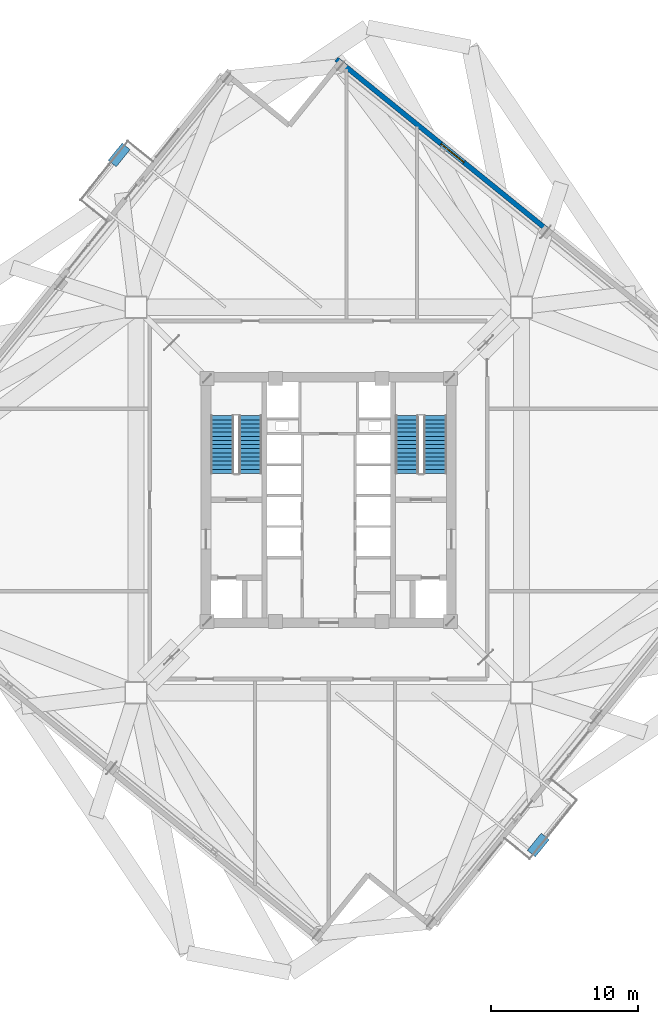
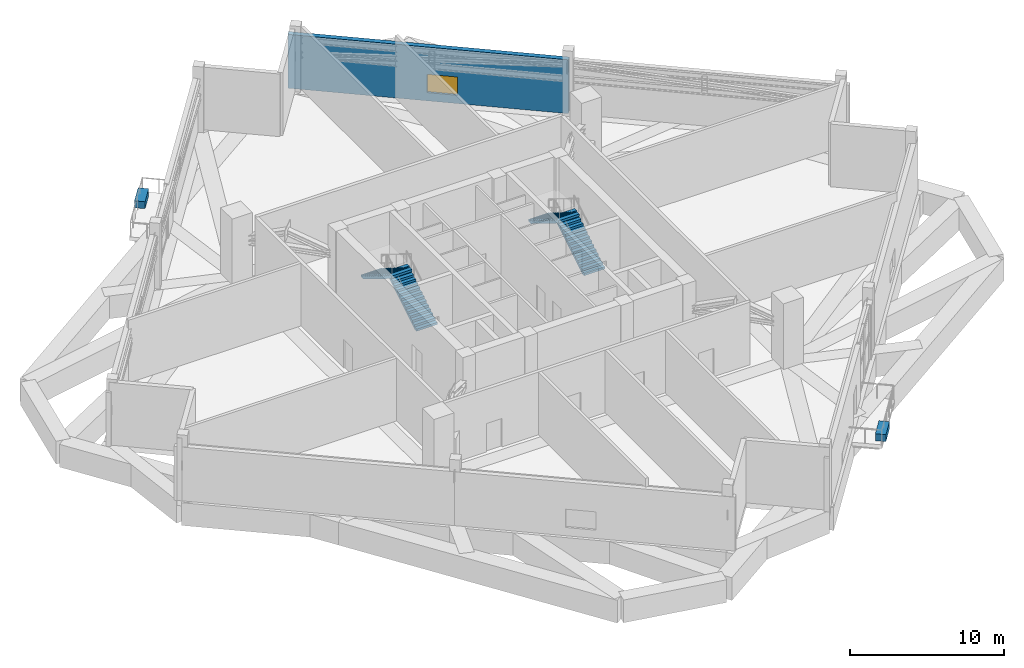
# One storey, part 19 of 22: 4 stair flights, 2 discrete accessories, 1 wall, 1 window, 1 opening, 2 elements without a shape of their own.
"""IFC4 building model written with IfcOpenShell, lengths in metres."""

from ifc_helpers import new_model, si_unit, direction, frame, frame_2d, origin, origin_2d, place, context, subcontext, project, spatial, polyline, rectangle, outline, extrude, source, transform, mapped, material, layer, layer_set, type_object, element, fill, aggregate, save


model = new_model("IFC4")

# Units and contexts
model_context = context("Model", 3, precision=1e-05, world=origin(), true_north=direction((0.0, 1.0)))
body_context = subcontext(model_context, "Body", "Model", "MODEL_VIEW")
ifc_project = project(units=[si_unit("LENGTHUNIT", "METRE"), si_unit("AREAUNIT", "SQUARE_METRE"), si_unit("VOLUMEUNIT", "CUBIC_METRE"), si_unit("PLANEANGLEUNIT", "RADIAN"), si_unit("MASSUNIT", "GRAM", prefix="KILO"), si_unit("THERMODYNAMICTEMPERATUREUNIT", "KELVIN")], contexts=[model_context])

# Site, building, storey
site_placement = place(None, origin())
site = spatial("IfcSite", under=ifc_project, at=site_placement, CompositionType="ELEMENT")
building_placement = place(site_placement, origin())
building = spatial("IfcBuilding", under=site, at=building_placement, Name="Kosmvard Interchange Tower", CompositionType="ELEMENT")
storey_placement = place(building_placement, frame((0.0, 0.0, 200.39990234375)))
storey = spatial("IfcBuildingStorey", under=building, at=storey_placement, Name="L48", CompositionType="ELEMENT", Elevation=200.39990234375)

# Wall, opening, window
ifc_material_1 = material(Name="Precast concrete C45/55", Category="concrete")
ifc_layer = layer(ifc_material_1, 0.340087890625, Name="Precast concrete C45/55")
ifc_layer_set = layer_set([ifc_layer], Name="Precast concrete C45/55")
wall_type = type_object("IfcWallType", Name="Mid Tower Precast Pier Wall 340 C45/55", PredefinedType="STANDARD", material=ifc_layer_set)
wall_placement = place(storey_placement, frame((14.83935546875, 18.3251953125, 0.0), z_axis=(0.0, 0.0, 1.0), x_axis=(-0.777145164153, 0.629321375637, 0.0)))
wall = element("IfcWall", 1, at=wall_placement, inside=storey, type_object=wall_type, Name="L48 Facade Pier Wall EB", PredefinedType="STANDARD", context=body_context, shape_type="SweptSolid", body=[
    extrude(rectangle(XDim=18.419921875, YDim=0.340087890625, at=frame_2d((9.2099609375, 0.0))), origin(), (0.0, 0.0, 1.0), 4.260009765625),
])
opening_placement = place(wall_placement, frame((7.2890625, 0.0, 0.64990234375)))
opening = element("IfcOpeningElement", 2, at=opening_placement, cuts=wall, Name="Opening L48-WEB", PredefinedType="OPENING", context=body_context, shape_type="SweptSolid", body=[
    extrude(rectangle(XDim=2.0, YDim=1.449951171875, at=frame_2d((1.0, 0.72509765625))), frame((0.0, 0.18017578125, 0.0), z_axis=(0.0, -1.0, 0.0), x_axis=(1.0, 0.0, 0.0)), (0.0, 0.0, 1.0), 0.360107421875),
])
ifc_material_2 = material(Name="Low-E solar-control double glazing", Category="glass")
window_type = type_object("IfcWindowType", Name="Transfer Zone Punched Window 2000x1450", PartitioningType="SINGLE_PANEL", PredefinedType="WINDOW", material=ifc_material_2)
shared_shape_1 = source(origin(), body_context, "Body", "SweptSolid", [
    extrude(rectangle(XDim=2.0, YDim=1.449951171875, at=frame_2d((1.0, 0.72509765625))), frame((0.0, 0.030029296875, 0.0), z_axis=(0.0, -1.0, 0.0), x_axis=(1.0, 0.0, 0.0)), (0.0, 0.0, 1.0), 0.06005859375),
])
window_placement = place(opening_placement, origin())
window = element("IfcWindow", 3, at=window_placement, inside=storey, type_object=window_type, Name="L48 Facade Punched Window EB", OverallHeight=1.449951171875, OverallWidth=2.0, PartitioningType="SINGLE_PANEL", PredefinedType="WINDOW", context=body_context, shape_type="MappedRepresentation", body=[
    mapped(shared_shape_1, transform((0.0, 0.0, 0.0), scale=1.0)),
])
fill(opening, window)

# Stair, stair flights
ifc_material_3 = material(Name="Concrete C50/60", Category="concrete")
stair_type = type_object("IfcStairType", Name="Dog-Leg Core Exit Stair H5200 C50/60", PredefinedType="HALF_TURN_STAIR", material=ifc_material_3)
stair_1_placement = place(storey_placement, origin())
stair_1 = element("IfcStair", 4, at=stair_1_placement, inside=storey, type_object=stair_type, Name="L48 Protected Exit Stair ST-1", PredefinedType="HALF_TURN_STAIR")
stair_flight_type = type_object("IfcStairFlightType", Name="Core Stair Flight W1550 H5200 C50/60", PredefinedType="STRAIGHT", material=ifc_material_3)
shared_shape_2 = source(origin(), body_context, "Body", "SweptSolid", [
    extrude(outline(polyline([(0.0, 0.0), (0.0, 0.17333984375), (0.280029296875, 0.17333984375), (0.280029296875, 0.3466796875), (0.56005859375, 0.3466796875), (0.56005859375, 0.52001953125), (0.840087890625, 0.52001953125), (0.840087890625, 0.693359375), (1.1201171875, 0.693359375), (1.1201171875, 0.86669921875), (1.39990234375, 0.86669921875), (1.39990234375, 1.0400390625), (1.679931640625, 1.0400390625), (1.679931640625, 1.21337890625), (1.9599609375, 1.21337890625), (1.9599609375, 1.38671875), (2.239990234375, 1.38671875), (2.239990234375, 1.56005859375), (2.52001953125, 1.56005859375), (2.52001953125, 1.7333984375), (2.800048828125, 1.7333984375), (2.800048828125, 1.90673828125), (3.080078125, 1.90673828125), (3.080078125, 2.080078125), (3.360107421875, 2.080078125), (3.360107421875, 2.25341796875), (3.639892578125, 2.25341796875), (3.639892578125, 2.4267578125), (3.919921875, 2.4267578125), (3.919921875, 2.60009765625), (3.919921875, 2.238525390625), (0.3037109375, 0.0), (0.0, 0.0)])), frame((0.0, 0.77490234375, 0.0), z_axis=(0.0, -1.0, 0.0), x_axis=(1.0, 0.0, 0.0)), (0.0, 0.0, 1.0), 1.550048828125),
])
stair_flight_1_placement = place(storey_placement, frame((-5.31494140625, 1.800048828125, 0.0), z_axis=(0.0, 0.0, 1.0), x_axis=(0.0, 1.0, 0.0)))
stair_flight_1 = element("IfcStairFlight", 5, at=stair_flight_1_placement, type_object=stair_flight_type, Name="ST-1 flight 1", NumberOfRisers=15, NumberOfTreads=14, PredefinedType="STRAIGHT", RiserHeight=0.173333333, TreadLength=0.28, context=body_context, shape_type="MappedRepresentation", body=[
    mapped(shared_shape_2, transform((0.0, 0.0, 0.0), scale=1.0)),
])
stair_flight_2_placement = place(storey_placement, frame((-7.22509765625, 5.719970703125, 2.60009765625), z_axis=(0.0, 0.0, 1.0), x_axis=(0.0, -1.0, 0.0)))
stair_flight_2 = element("IfcStairFlight", 6, at=stair_flight_2_placement, type_object=stair_flight_type, Name="ST-1 flight 2", NumberOfRisers=15, NumberOfTreads=14, PredefinedType="STRAIGHT", RiserHeight=0.173333333, TreadLength=0.28, context=body_context, shape_type="MappedRepresentation", body=[
    mapped(shared_shape_2, transform((0.0, 0.0, 0.0), scale=1.0)),
])
aggregate(stair_1, [stair_flight_1, stair_flight_2])

stair_2_placement = place(storey_placement, origin())
stair_2 = element("IfcStair", 7, at=stair_2_placement, inside=storey, type_object=stair_type, Name="L48 Protected Exit Stair ST-2", PredefinedType="HALF_TURN_STAIR")
stair_flight_3_placement = place(storey_placement, frame((7.22509765625, 1.800048828125, 0.0), z_axis=(0.0, 0.0, 1.0), x_axis=(0.0, 1.0, 0.0)))
stair_flight_3 = element("IfcStairFlight", 8, at=stair_flight_3_placement, type_object=stair_flight_type, Name="ST-2 flight 1", NumberOfRisers=15, NumberOfTreads=14, PredefinedType="STRAIGHT", RiserHeight=0.173333333, TreadLength=0.28, context=body_context, shape_type="MappedRepresentation", body=[
    mapped(shared_shape_2, transform((0.0, 0.0, 0.0), scale=1.0)),
])
stair_flight_4_placement = place(storey_placement, frame((5.31494140625, 5.719970703125, 2.60009765625), z_axis=(0.0, 0.0, 1.0), x_axis=(0.0, -1.0, 0.0)))
stair_flight_4 = element("IfcStairFlight", 9, at=stair_flight_4_placement, type_object=stair_flight_type, Name="ST-2 flight 2", NumberOfRisers=15, NumberOfTreads=14, PredefinedType="STRAIGHT", RiserHeight=0.173333333, TreadLength=0.28, context=body_context, shape_type="MappedRepresentation", body=[
    mapped(shared_shape_2, transform((0.0, 0.0, 0.0), scale=1.0)),
])
aggregate(stair_2, [stair_flight_3, stair_flight_4])

# Discrete accessories
ifc_material_4 = material(Name="Terracotta precast planter concrete C45/55", Category="masonry")
discrete_accessory_type = type_object("IfcDiscreteAccessoryType", Name="Precast Tree-Balcony & Terrace Planter Box", PredefinedType="USERDEFINED", material=ifc_material_4)
shared_shape_3 = source(origin(), body_context, "Body", "SweptSolid", [
    extrude(rectangle(XDim=1.5, YDim=0.699951171875, at=origin_2d()), origin(), (0.0, 0.0, 1.0), 0.550048828125),
])
for number, where, z_axis, x_axis, name in (
    (10, (-14.22021484375, 23.416015625, 0.0), (0.0, 0.0, 1.0), (0.62932039105, 0.777145961457, 0.0), "L48 Sky-Garden Planter SKG-L48-N"),
    (11, (14.22021484375, -23.416015625, 0.0), (0.0, 0.0, 1.0), (0.62932039105, 0.777145961457, 0.0), "L48 Sky-Garden Planter SKG-L48-S"),
):
    element("IfcDiscreteAccessory", number, at=place(storey_placement, frame(where, z_axis=z_axis, x_axis=x_axis)), inside=storey, type_object=discrete_accessory_type, Name=name, ObjectType="PLANTER", PredefinedType="USERDEFINED", context=body_context, shape_type="MappedRepresentation", body=[
        mapped(shared_shape_3, transform((0.0, 0.0, 0.0), scale=1.0)),
    ])

save(model, "model.ifc")
